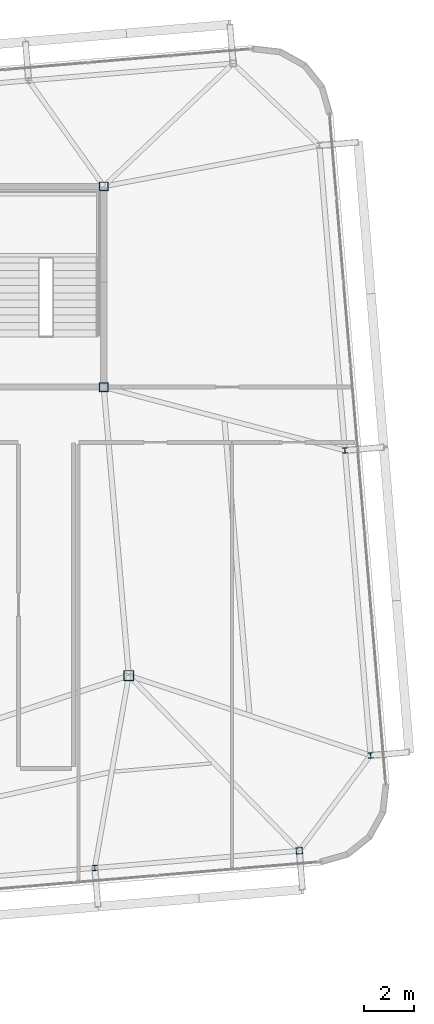
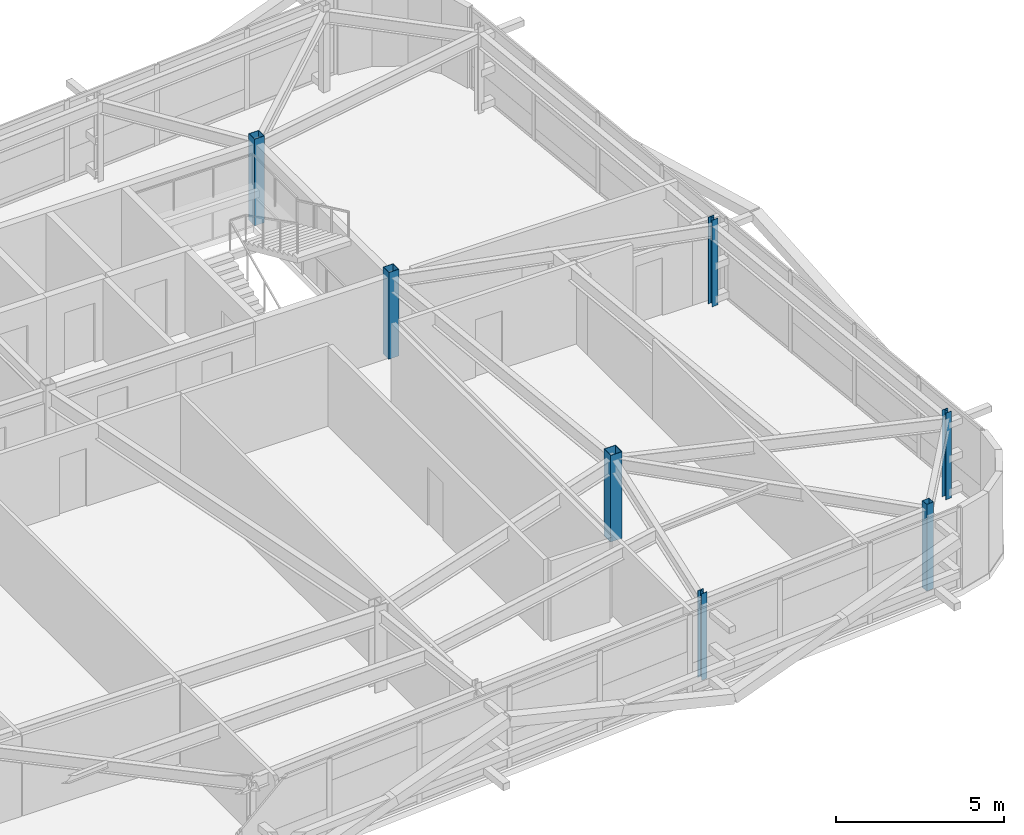
# One storey, part 4 of 46: 7 columns.
"""IFC4 building model written with IfcOpenShell, lengths in metres."""

from ifc_helpers import new_model, si_unit, direction, frame, origin, origin_2d, place, context, subcontext, project, spatial, hollow_rectangle, i_section, extrude, source, transform, mapped, material, material_profile, profile_set, type_object, element, save


model = new_model("IFC4")

# Units and contexts
model_context = context("Model", 3, precision=1e-05, world=origin(), true_north=direction((0.0, 1.0)))
body_context = subcontext(model_context, "Body", "Model", "MODEL_VIEW")
ifc_project = project(units=[si_unit("LENGTHUNIT", "METRE"), si_unit("AREAUNIT", "SQUARE_METRE"), si_unit("VOLUMEUNIT", "CUBIC_METRE"), si_unit("PLANEANGLEUNIT", "RADIAN"), si_unit("MASSUNIT", "GRAM", prefix="KILO")], contexts=[model_context])

# Site, building, storey
site_placement = place(None, origin())
site = spatial("IfcSite", under=ifc_project, at=site_placement, CompositionType="ELEMENT")
building_placement = place(site_placement, origin())
building = spatial("IfcBuilding", under=site, at=building_placement, Name="Taldren Reach Tower", CompositionType="ELEMENT")
storey_placement = place(building_placement, frame((0.0, 0.0, 185.14990234375)))
storey = spatial("IfcBuildingStorey", under=building, at=storey_placement, Name="L56", CompositionType="ELEMENT", Elevation=185.14990234375)

# Columns
ifc_material_1 = material(Name="Steel Gr 450 (C450L0)", Category="steel")
ifc_material_profile_1 = material_profile(ifc_material_1, hollow_rectangle(XDim=0.39990234375, YDim=0.39990234375, WallThickness=0.01611328125, at=origin_2d()), Name="400x400x16.0SHS")
ifc_profile_set_1 = profile_set([ifc_material_profile_1], Name="Steel Gr 450 (C450L0)")
column_type_1 = type_object("IfcColumnType", Name="COL-SHS400", PredefinedType="COLUMN", material=ifc_profile_set_1)
shared_shape_1 = source(origin(), body_context, "Body", "SweptSolid", [
    extrude(hollow_rectangle(XDim=0.39990234375, YDim=0.39990234375, WallThickness=0.01611328125, at=origin_2d()), origin(), (0.0, 0.0, 1.0), 3.150146484375),
])
column_1_placement = place(storey_placement, frame((52.0, 12.5, 0.0), z_axis=(0.0, 0.0, 1.0), x_axis=(1.0, 0.0, 0.0)))
element("IfcColumn", 1, at=column_1_placement, inside=storey, type_object=column_type_1, Name="Mega column MC-SE L56", PredefinedType="COLUMN", context=body_context, shape_type="MappedRepresentation", body=[
    mapped(shared_shape_1, transform((0.0, 0.0, 0.0), scale=1.0)),
])
ifc_material_profile_2 = material_profile(ifc_material_1, hollow_rectangle(XDim=0.35009765625, YDim=0.35009765625, WallThickness=0.01611328125, at=origin_2d()), Name="350x350x16.0SHS")
ifc_profile_set_2 = profile_set([ifc_material_profile_2], Name="Steel Gr 450 (C450L0)")
column_type_2 = type_object("IfcColumnType", Name="COL-SHS350", PredefinedType="COLUMN", material=ifc_profile_set_2)
shared_shape_2 = source(origin(), body_context, "Body", "SweptSolid", [
    extrude(hollow_rectangle(XDim=0.35009765625, YDim=0.35009765625, WallThickness=0.01611328125, at=origin_2d()), origin(), (0.0, 0.0, 1.0), 3.150146484375),
])
for number, where, z_axis, x_axis, name in (
    (2, (51.0, 24.0, 0.0), (0.0, 0.0, 1.0), (1.0, 0.0, 0.0), "Mega column MC-C4 L56"),
    (3, (51.0, 32.0, 0.0), (0.0, 0.0, 1.0), (1.0, 0.0, 0.0), "Mega column MC-C8 L56"),
):
    element("IfcColumn", number, at=place(storey_placement, frame(where, z_axis=z_axis, x_axis=x_axis)), inside=storey, type_object=column_type_2, Name=name, PredefinedType="COLUMN", context=body_context, shape_type="MappedRepresentation", body=[
        mapped(shared_shape_2, transform((0.0, 0.0, 0.0), scale=1.0)),
    ])
ifc_material_2 = material(Name="Steel Gr 350 (C350L0)", Category="steel")
ifc_material_profile_3 = material_profile(ifc_material_2, hollow_rectangle(XDim=0.25, YDim=0.25, WallThickness=0.010009765625, at=origin_2d()), Name="250x250x10.0SHS")
ifc_profile_set_3 = profile_set([ifc_material_profile_3], Name="Steel Gr 350 (C350L0)")
column_type_3 = type_object("IfcColumnType", Name="COL-SHS250", PredefinedType="COLUMN", material=ifc_profile_set_3)
shared_shape_3 = source(origin(), body_context, "Body", "SweptSolid", [
    extrude(hollow_rectangle(XDim=0.25, YDim=0.25, WallThickness=0.010009765625, at=origin_2d()), origin(), (0.0, 0.0, 1.0), 3.150146484375),
])
column_2_placement = place(storey_placement, frame((58.796142578125, 5.516357421875, 0.0), z_axis=(0.0, 0.0, 1.0), x_axis=(0.99649285925, 0.083677843332, 0.0)))
element("IfcColumn", 4, at=column_2_placement, inside=storey, type_object=column_type_3, Name="Block B4 perimeter column S6 L56", PredefinedType="COLUMN", context=body_context, shape_type="MappedRepresentation", body=[
    mapped(shared_shape_3, transform((0.0, 0.0, 0.0), scale=1.0)),
])
ifc_material_3 = material(Name="Steel Gr 350 (350PLUS)", Category="steel")
ifc_material_profile_4 = material_profile(ifc_material_3, i_section(OverallWidth=0.205078125, OverallDepth=0.2099609375, WebThickness=0.00927734375, FlangeThickness=0.01416015625, at=origin_2d()), Name="200UC59.5")
ifc_profile_set_4 = profile_set([ifc_material_profile_4], Name="Steel Gr 350 (350PLUS)")
column_type_4 = type_object("IfcColumnType", Name="COL-UC200", PredefinedType="COLUMN", material=ifc_profile_set_4)
shared_shape_4 = source(origin(), body_context, "Body", "SweptSolid", [
    extrude(i_section(OverallWidth=0.205078125, OverallDepth=0.2099609375, WebThickness=0.00927734375, FlangeThickness=0.01416015625, at=origin_2d()), origin(), (0.0, 0.0, 1.0), 3.150146484375),
])
for number, where, z_axis, x_axis, name in (
    (5, (50.644775390625, 4.83203125, 0.0), (0.0, 0.0, 1.0), (0.99649285925, 0.083677843332, 0.0), "Block B4 perimeter column S5 L56"),
    (6, (61.63818359375, 9.317626953125, 0.0), (0.0, 0.0, 1.0), (0.99649285925, 0.083677843332, 0.0), "Block B4 perimeter column E1 L56"),
    (7, (60.6171875, 21.474853515625, 0.0), (0.0, 0.0, 1.0), (0.99649285925, 0.083677843332, 0.0), "Block B4 perimeter column E2 L56"),
):
    element("IfcColumn", number, at=place(storey_placement, frame(where, z_axis=z_axis, x_axis=x_axis)), inside=storey, type_object=column_type_4, Name=name, PredefinedType="COLUMN", context=body_context, shape_type="MappedRepresentation", body=[
        mapped(shared_shape_4, transform((0.0, 0.0, 0.0), scale=1.0)),
    ])

save(model, "model.ifc")
